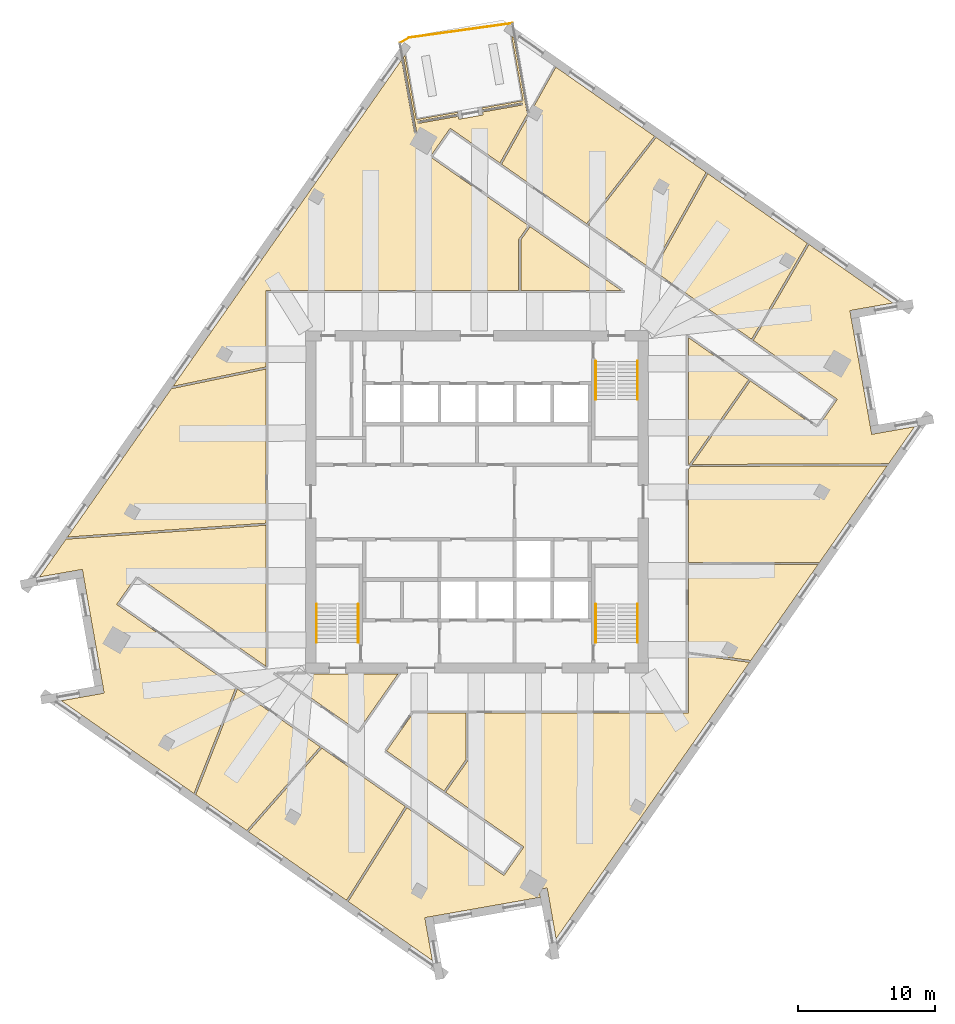
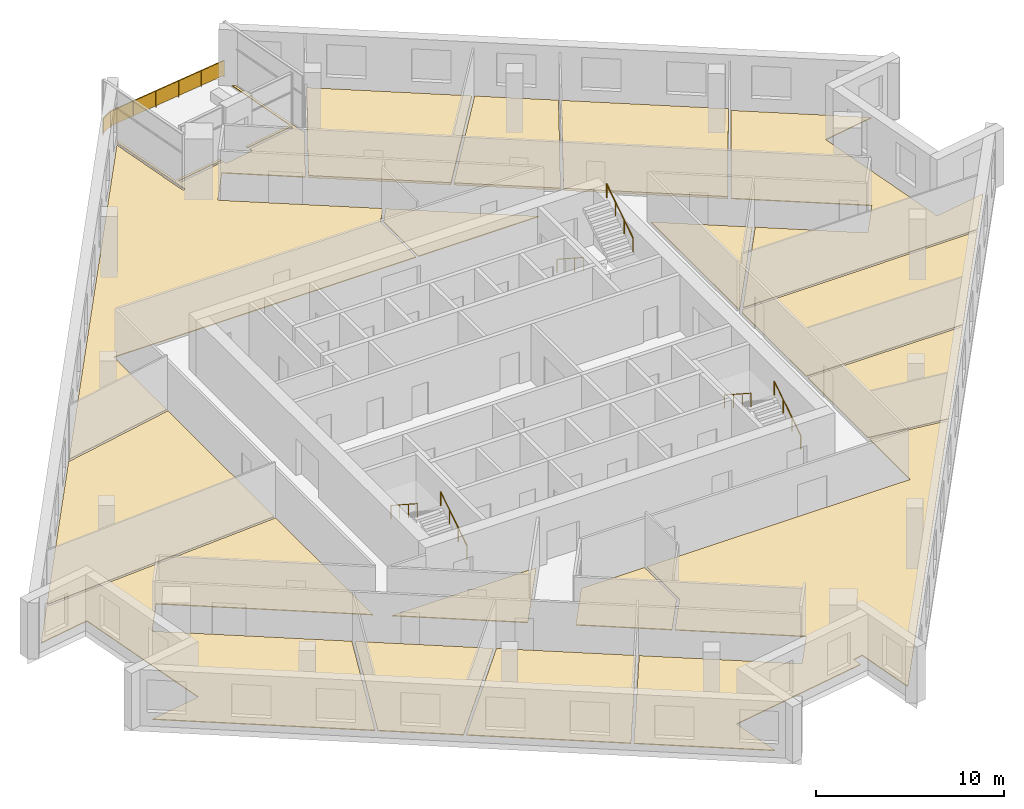
# One storey, part 12 of 13: 16 coverings, 7 railings.
"""IFC4 building model written with IfcOpenShell, lengths in metres."""

from ifc_helpers import new_model, si_unit, direction, frame, origin, origin_2d, place, context, subcontext, project, spatial, polyline, rectangle, circle, outline, extrude, material, layer, layer_set, type_object, element, save


model = new_model("IFC4")

# Units and contexts
model_context = context("Model", 3, precision=1e-05, world=origin(), true_north=direction((0.0, 1.0)))
body_context = subcontext(model_context, "Body", "Model", "MODEL_VIEW")
ifc_project = project(units=[si_unit("LENGTHUNIT", "METRE"), si_unit("AREAUNIT", "SQUARE_METRE"), si_unit("VOLUMEUNIT", "CUBIC_METRE"), si_unit("PLANEANGLEUNIT", "RADIAN"), si_unit("MASSUNIT", "GRAM", prefix="KILO")], contexts=[model_context])

# Site, building, storey
site_placement = place(None, origin())
site = spatial("IfcSite", under=ifc_project, at=site_placement, CompositionType="ELEMENT")
building_placement = place(site_placement, origin())
building = spatial("IfcBuilding", under=site, at=building_placement, Name="Dilmun Exchange Tower", CompositionType="ELEMENT")
storey_placement = place(building_placement, frame((0.0, 0.0, 242.89990234375)))
storey = spatial("IfcBuildingStorey", under=building, at=storey_placement, Name="L57", CompositionType="ELEMENT", Elevation=242.89990234375)

# Coverings
ifc_material_1 = material(Name="Carpet floor finish 50")
ifc_layer_1 = layer(ifc_material_1, 0.050048828125)
ifc_layer_set_1 = layer_set([ifc_layer_1], Name="Carpet floor finish 50")
covering_type_1 = type_object("IfcCoveringType", Name="Carpet floor finish 50", PredefinedType="FLOORING", material=ifc_layer_set_1)
covering_1_placement = place(storey_placement, origin())
element("IfcCovering", 1, at=covering_1_placement, inside=storey, type_object=covering_type_1, Name="Carpet floor finish 50 Research library 1", PredefinedType="FLOORING", context=body_context, shape_type="SweptSolid", body=[
    extrude(outline(polyline([(-15.47509765625, -1.712646484375), (-15.47509765625, -12.04638671875), (-24.933837890625, -5.42333984375), (-26.396484375, -7.51220703125), (-17.677734375, -13.6171875), (-20.736328125, -21.368408203125), (-30.45166015625, -14.56591796875), (-27.31787109375, -14.01318359375), (-27.317626953125, -14.01318359375), (-27.3173828125, -14.01318359375), (-27.317138671875, -14.01318359375), (-27.31689453125, -14.012939453125), (-27.31689453125, -14.012939453125), (-27.316650390625, -14.0126953125), (-27.316650390625, -14.0126953125), (-27.31640625, -14.012451171875), (-27.31640625, -14.01220703125), (-27.31640625, -14.01220703125), (-27.316162109375, -14.011962890625), (-27.316162109375, -14.01171875), (-27.316162109375, -14.01171875), (-27.316162109375, -14.011474609375), (-27.316162109375, -14.01123046875), (-27.316162109375, -14.010986328125), (-27.42041015625, -13.42041015625), (-27.42041015625, -13.42041015625), (-27.42041015625, -13.420166015625), (-28.809326171875, -5.5419921875), (-28.809326171875, -5.5419921875), (-28.809326171875, -5.5419921875), (-28.809326171875, -5.541748046875), (-28.91357421875, -4.95068359375), (-28.913818359375, -4.95068359375), (-28.913818359375, -4.950439453125), (-28.913818359375, -4.9501953125), (-28.913818359375, -4.9501953125), (-28.9140625, -4.949951171875), (-28.9140625, -4.94970703125), (-28.914306640625, -4.94970703125), (-28.914306640625, -4.949462890625), (-28.91455078125, -4.949462890625), (-28.914794921875, -4.94921875), (-28.9150390625, -4.94921875), (-28.915283203125, -4.94921875), (-28.915283203125, -4.94921875), (-28.91552734375, -4.94921875), (-28.915771484375, -4.94921875), (-28.916015625, -4.94921875), (-32.0498046875, -5.501708984375), (-30.11279296875, -2.735107421875), (-15.47509765625, -1.712646484375)])), origin(), (0.0, 0.0, 1.0), 0.050048828125),
])
covering_2_placement = place(storey_placement, origin())
element("IfcCovering", 2, at=covering_2_placement, inside=storey, type_object=covering_type_1, Name="Carpet floor finish 50 Regulator office 1", PredefinedType="FLOORING", context=body_context, shape_type="SweptSolid", body=[
    extrude(outline(polyline([(-15.47509765625, 9.7275390625), (-15.47509765625, -1.562255859375), (-30.001953125, -2.5771484375), (-22.3935546875, 8.288818359375), (-15.47509765625, 9.7275390625)])), origin(), (0.0, 0.0, 1.0), 0.050048828125),
])
covering_3_placement = place(storey_placement, origin())
element("IfcCovering", 3, at=covering_3_placement, inside=storey, type_object=covering_type_1, Name="Carpet floor finish 50 Regulator office 2", PredefinedType="FLOORING", context=body_context, shape_type="SweptSolid", body=[
    extrude(outline(polyline([(-17.55126953125, -13.70556640625), (-11.49267578125, -17.94775390625), (-16.87060546875, -24.075439453125), (-20.610107421875, -21.45703125), (-17.55126953125, -13.70556640625)])), origin(), (0.0, 0.0, 1.0), 0.050048828125),
])
covering_4_placement = place(storey_placement, origin())
element("IfcCovering", 4, at=covering_4_placement, inside=storey, type_object=covering_type_1, Name="Carpet floor finish 50 Regulator office 3", PredefinedType="FLOORING", context=body_context, shape_type="SweptSolid", body=[
    extrude(outline(polyline([(-11.369140625, -18.034423828125), (-5.26025390625, -22.311767578125), (-9.55908203125, -29.195068359375), (-16.746826171875, -24.162109375), (-11.369140625, -18.034423828125)])), origin(), (0.0, 0.0, 1.0), 0.050048828125),
])
covering_5_placement = place(storey_placement, origin())
element("IfcCovering", 5, at=covering_5_placement, inside=storey, type_object=covering_type_1, Name="Carpet floor finish 50 Garden lounge", PredefinedType="FLOORING", context=body_context, shape_type="SweptSolid", body=[
    extrude(outline(polyline([(-15.47509765625, 9.880859375), (-22.26806640625, 8.468017578125), (-5.523193359375, 32.382080078125), (-4.575439453125, 27.006103515625), (-4.5751953125, 27.006103515625), (-4.5751953125, 27.005859375), (-4.5751953125, 27.005615234375), (-4.5751953125, 27.00537109375), (-4.574951171875, 27.00537109375), (-4.57470703125, 27.005126953125), (-4.57470703125, 27.0048828125), (-4.574462890625, 27.0048828125), (-4.574462890625, 27.0048828125), (-4.57421875, 27.004638671875), (-4.573974609375, 27.004638671875), (-4.57373046875, 27.004638671875), (-4.573486328125, 27.00439453125), (-4.573486328125, 27.00439453125), (-4.5732421875, 27.00439453125), (-4.572998046875, 27.00439453125), (-4.41552734375, 27.0322265625), (-4.415283203125, 27.032470703125), (-4.4150390625, 27.032470703125), (-4.414794921875, 27.032470703125), (-4.414794921875, 27.03271484375), (-4.41455078125, 27.03271484375), (-4.414306640625, 27.03271484375), (-4.414306640625, 27.032958984375), (-4.414306640625, 27.033203125), (-4.4140625, 27.033203125), (-4.4140625, 27.033447265625), (-4.413818359375, 27.03369140625), (-4.413818359375, 27.033935546875), (-4.413818359375, 27.0341796875), (-4.413818359375, 27.0341796875), (-4.413818359375, 27.034423828125), (-4.413818359375, 27.03466796875), (-5.39013671875, 32.572021484375), (-5.2744140625, 32.737548828125), (-4.441650390625, 28.015380859375), (-1.426025390625, 28.547119140625), (-1.401123046875, 28.40625), (-4.343017578125, 27.8876953125), (-4.343017578125, 27.8876953125), (-4.34326171875, 27.887451171875), (-4.343505859375, 27.887451171875), (-4.34375, 27.887451171875), (-4.34375, 27.88720703125), (-4.343994140625, 27.88720703125), (-4.343994140625, 27.886962890625), (-4.34423828125, 27.88671875), (-4.34423828125, 27.88671875), (-4.344482421875, 27.886474609375), (-4.344482421875, 27.88623046875), (-4.344482421875, 27.885986328125), (-4.344482421875, 27.885986328125), (-4.344482421875, 27.8857421875), (-4.344482421875, 27.885498046875), (-4.344482421875, 27.88525390625), (-4.31689453125, 27.727783203125), (-4.316650390625, 27.7275390625), (-4.316650390625, 27.727294921875), (-4.316650390625, 27.727294921875), (-4.31640625, 27.72705078125), (-4.31640625, 27.726806640625), (-4.31640625, 27.726806640625), (-4.316162109375, 27.7265625), (-4.31591796875, 27.7265625), (-4.31591796875, 27.726318359375), (-4.315673828125, 27.726318359375), (-4.3154296875, 27.726318359375), (-4.315185546875, 27.726318359375), (-4.31494140625, 27.72607421875), (-4.31494140625, 27.72607421875), (-4.314697265625, 27.72607421875), (-4.314453125, 27.72607421875), (-1.372802734375, 28.244873046875), (-1.3349609375, 28.030029296875), (-1.334716796875, 28.02978515625), (-1.334716796875, 28.02978515625), (-1.334716796875, 28.029541015625), (-1.334716796875, 28.029296875), (-1.33447265625, 28.029296875), (-1.334228515625, 28.029052734375), (-1.334228515625, 28.02880859375), (-1.333984375, 28.02880859375), (-1.333984375, 28.02880859375), (-1.333740234375, 28.028564453125), (-1.33349609375, 28.028564453125), (-1.333251953125, 28.028564453125), (-1.3330078125, 28.028564453125), (-1.3330078125, 28.028564453125), (-1.332763671875, 28.028564453125), (-1.33251953125, 28.028564453125), (0.43994140625, 28.341064453125), (0.440185546875, 28.341064453125), (0.4404296875, 28.34130859375), (0.440673828125, 28.34130859375), (0.44091796875, 28.34130859375), (0.44091796875, 28.341552734375), (0.441162109375, 28.341552734375), (0.441162109375, 28.341796875), (0.44140625, 28.341796875), (0.44140625, 28.342041015625), (0.44140625, 28.34228515625), (0.441650390625, 28.34228515625), (0.441650390625, 28.342529296875), (0.441650390625, 28.3427734375), (0.441650390625, 28.343017578125), (0.441650390625, 28.34326171875), (0.441650390625, 28.343505859375), (0.40380859375, 28.55810546875), (3.345458984375, 29.07666015625), (3.345703125, 29.076904296875), (3.345947265625, 29.076904296875), (3.34619140625, 29.076904296875), (3.34619140625, 29.076904296875), (3.346435546875, 29.0771484375), (3.3466796875, 29.077392578125), (3.3466796875, 29.077392578125), (3.3466796875, 29.07763671875), (3.346923828125, 29.07763671875), (3.346923828125, 29.077880859375), (3.34716796875, 29.078125), (3.34716796875, 29.078369140625), (3.34716796875, 29.07861328125), (3.34716796875, 29.07861328125), (3.34716796875, 29.078857421875), (3.34716796875, 29.0791015625), (3.3193359375, 29.236572265625), (3.3193359375, 29.23681640625), (3.3193359375, 29.237060546875), (3.319091796875, 29.2373046875), (3.319091796875, 29.2373046875), (3.319091796875, 29.237548828125), (3.31884765625, 29.23779296875), (3.318603515625, 29.23779296875), (3.318603515625, 29.23779296875), (3.318359375, 29.238037109375), (3.318115234375, 29.238037109375), (3.318115234375, 29.23828125), (3.31787109375, 29.23828125), (3.317626953125, 29.23828125), (3.3173828125, 29.23828125), (3.3173828125, 29.23828125), (3.317138671875, 29.23828125), (0.375244140625, 28.719482421875), (0.3505859375, 28.8603515625), (3.3662109375, 29.39208984375), (2.533447265625, 34.114501953125), (2.69921875, 33.998291015625), (3.666015625, 28.514404296875), (3.666259765625, 28.51416015625), (3.666259765625, 28.513916015625), (3.666259765625, 28.513671875), (3.66650390625, 28.513427734375), (3.66650390625, 28.513427734375), (3.666748046875, 28.51318359375), (3.666748046875, 28.51318359375), (3.6669921875, 28.512939453125), (3.6669921875, 28.512939453125), (3.667236328125, 28.5126953125), (3.66748046875, 28.5126953125), (3.667724609375, 28.5126953125), (3.66796875, 28.5126953125), (3.668212890625, 28.5126953125), (3.668212890625, 28.5126953125), (3.66845703125, 28.5126953125), (3.747314453125, 28.526611328125), (1.675048828125, 24.822265625), (-1.968994140625, 27.373779296875), (-3.431640625, 25.284912109375), (3.765869140625, 20.245361328125), (3.0546875, 19.22998046875), (3.0546875, 15.47509765625), (-15.47509765625, 15.47509765625), (-15.47509765625, 9.880859375)])), origin(), (0.0, 0.0, 1.0), 0.050048828125),
])
covering_6_placement = place(storey_placement, origin())
element("IfcCovering", 6, at=covering_6_placement, inside=storey, type_object=covering_type_1, Name="Carpet floor finish 50 Supervision hall 1", PredefinedType="FLOORING", context=body_context, shape_type="SweptSolid", body=[
    extrude(outline(polyline([(-5.13720703125, -22.39794921875), (1.968994140625, -27.373779296875), (3.431640625, -25.284912109375), (-2.29736328125, -21.2734375), (-0.666259765625, -18.944091796875), (-0.666259765625, -15.47509765625), (15.47509765625, -15.47509765625), (15.47509765625, -11.1435546875), (19.963134765625, -11.760009765625), (5.791748046875, -31.998779296875), (5.1376953125, -28.289306640625), (5.1376953125, -28.2890625), (5.137451171875, -28.288818359375), (5.137451171875, -28.288818359375), (5.13720703125, -28.28857421875), (5.13720703125, -28.288330078125), (5.13720703125, -28.2880859375), (5.136962890625, -28.2880859375), (5.13671875, -28.2880859375), (5.13671875, -28.287841796875), (5.136474609375, -28.287841796875), (5.13623046875, -28.28759765625), (5.135986328125, -28.28759765625), (5.135986328125, -28.28759765625), (5.1357421875, -28.28759765625), (5.135498046875, -28.28759765625), (5.13525390625, -28.28759765625), (4.54443359375, -28.391845703125), (4.544189453125, -28.391845703125), (4.5439453125, -28.391845703125), (4.5439453125, -28.39208984375), (4.543701171875, -28.39208984375), (4.54345703125, -28.39208984375), (4.54345703125, -28.392333984375), (4.543212890625, -28.392578125), (4.543212890625, -28.392578125), (4.54296875, -28.392822265625), (4.54296875, -28.39306640625), (4.54296875, -28.393310546875), (4.542724609375, -28.393310546875), (4.542724609375, -28.3935546875), (4.542724609375, -28.393798828125), (4.542724609375, -28.39404296875), (4.542724609375, -28.39404296875), (4.643798828125, -28.9677734375), (-3.232421875, -30.356689453125), (-3.232666015625, -30.356689453125), (-3.23291015625, -30.356689453125), (-3.23291015625, -30.356689453125), (-3.823486328125, -30.460693359375), (-3.823486328125, -30.4609375), (-3.82373046875, -30.4609375), (-3.823974609375, -30.4609375), (-3.82421875, -30.461181640625), (-3.82421875, -30.461181640625), (-3.824462890625, -30.461181640625), (-3.82470703125, -30.46142578125), (-3.82470703125, -30.461669921875), (-3.82470703125, -30.4619140625), (-3.824951171875, -30.4619140625), (-3.824951171875, -30.462158203125), (-3.824951171875, -30.46240234375), (-3.824951171875, -30.462646484375), (-3.824951171875, -30.462646484375), (-3.824951171875, -30.462890625), (-3.824951171875, -30.463134765625), (-3.2724609375, -33.5966796875), (-9.43603515625, -29.28125), (-5.13720703125, -22.39794921875)])), origin(), (0.0, 0.0, 1.0), 0.050048828125),
])
covering_7_placement = place(storey_placement, origin())
element("IfcCovering", 7, at=covering_7_placement, inside=storey, type_object=covering_type_1, Name="Carpet floor finish 50 Regulator office 4", PredefinedType="FLOORING", context=body_context, shape_type="SweptSolid", body=[
    extrude(outline(polyline([(15.47509765625, -10.991943359375), (15.47509765625, -4.577392578125), (24.974609375, -4.602783203125), (20.059814453125, -11.621826171875), (15.47509765625, -10.991943359375)])), origin(), (0.0, 0.0, 1.0), 0.050048828125),
])
covering_8_placement = place(storey_placement, origin())
element("IfcCovering", 8, at=covering_8_placement, inside=storey, type_object=covering_type_1, Name="Carpet floor finish 50 Research library 2", PredefinedType="FLOORING", context=body_context, shape_type="SweptSolid", body=[
    extrude(outline(polyline([(15.47509765625, -4.427490234375), (15.47509765625, 2.365966796875), (15.631591796875, 2.589599609375), (30.04833984375, 2.6435546875), (25.079345703125, -4.452880859375), (15.47509765625, -4.427490234375)])), origin(), (0.0, 0.0, 1.0), 0.050048828125),
])
covering_9_placement = place(storey_placement, origin())
element("IfcCovering", 9, at=covering_9_placement, inside=storey, type_object=covering_type_1, Name="Carpet floor finish 50 Supervision hall 2", PredefinedType="FLOORING", context=body_context, shape_type="SweptSolid", body=[
    extrude(outline(polyline([(15.737060546875, 2.739990234375), (20.023193359375, 8.861572265625), (24.933837890625, 5.42333984375), (26.396484375, 7.51220703125), (20.236083984375, 11.82568359375), (24.322509765625, 18.857421875), (30.45166015625, 14.56591796875), (27.31787109375, 14.01318359375), (27.317626953125, 14.01318359375), (27.3173828125, 14.01318359375), (27.317138671875, 14.01318359375), (27.31689453125, 14.012939453125), (27.31689453125, 14.012939453125), (27.316650390625, 14.0126953125), (27.316650390625, 14.0126953125), (27.31640625, 14.012451171875), (27.31640625, 14.01220703125), (27.31640625, 14.01220703125), (27.316162109375, 14.011962890625), (27.316162109375, 14.01171875), (27.316162109375, 14.01171875), (27.316162109375, 14.011474609375), (27.316162109375, 14.01123046875), (27.316162109375, 14.010986328125), (27.42041015625, 13.42041015625), (27.42041015625, 13.42041015625), (27.42041015625, 13.420166015625), (28.809326171875, 5.5419921875), (28.809326171875, 5.5419921875), (28.809326171875, 5.5419921875), (28.809326171875, 5.541748046875), (28.91357421875, 4.95068359375), (28.913818359375, 4.95068359375), (28.913818359375, 4.950439453125), (28.913818359375, 4.9501953125), (28.913818359375, 4.9501953125), (28.9140625, 4.949951171875), (28.9140625, 4.94970703125), (28.914306640625, 4.94970703125), (28.914306640625, 4.949462890625), (28.91455078125, 4.949462890625), (28.914794921875, 4.94921875), (28.9150390625, 4.94921875), (28.915283203125, 4.94921875), (28.915283203125, 4.94921875), (28.91552734375, 4.94921875), (28.915771484375, 4.94921875), (28.916015625, 4.94921875), (32.0498046875, 5.501708984375), (30.15380859375, 2.7939453125), (15.737060546875, 2.739990234375)])), origin(), (0.0, 0.0, 1.0), 0.050048828125),
])
ifc_material_2 = material(Name="Raised access floor 150")
ifc_layer_2 = layer(ifc_material_2, 0.14990234375)
ifc_layer_set_2 = layer_set([ifc_layer_2], Name="Raised access floor 150")
covering_type_2 = type_object("IfcCoveringType", Name="Raised access floor 150", PredefinedType="FLOORING", material=ifc_layer_set_2)
covering_10_placement = place(storey_placement, origin())
element("IfcCovering", 10, at=covering_10_placement, inside=storey, type_object=covering_type_2, Name="Raised access floor 150 Analytics room 1", PredefinedType="FLOORING", context=body_context, shape_type="SweptSolid", body=[
    extrude(outline(polyline([(1.798583984375, 24.73583984375), (5.775390625, 31.844482421875), (13.001220703125, 26.784912109375), (8.025634765625, 20.37548828125), (1.798583984375, 24.73583984375)])), origin(), (0.0, 0.0, 1.0), 0.150146484375),
])
covering_11_placement = place(storey_placement, origin())
element("IfcCovering", 11, at=covering_11_placement, inside=storey, type_object=covering_type_2, Name="Raised access floor 150 Analytics room 2", PredefinedType="FLOORING", context=body_context, shape_type="SweptSolid", body=[
    extrude(outline(polyline([(12.8115234375, 17.0244140625), (8.148681640625, 20.289306640625), (13.124267578125, 26.698486328125), (16.785400390625, 24.13525390625), (12.8115234375, 17.0244140625)])), origin(), (0.0, 0.0, 1.0), 0.150146484375),
])
covering_12_placement = place(storey_placement, origin())
element("IfcCovering", 12, at=covering_12_placement, inside=storey, type_object=covering_type_2, Name="Raised access floor 150 Analytics room 3", PredefinedType="FLOORING", context=body_context, shape_type="SweptSolid", body=[
    extrude(outline(polyline([(20.11279296875, 11.912109375), (12.93505859375, 16.93798828125), (16.90869140625, 24.048583984375), (24.19921875, 18.94384765625), (20.11279296875, 11.912109375)])), origin(), (0.0, 0.0, 1.0), 0.150146484375),
])

# Railings
ifc_material_3 = material(Name="Stainless steel", Category="steel")
railing_type_1 = type_object("IfcRailingType", Name="Stair handrail 900", PredefinedType="HANDRAIL", material=ifc_material_3)
railing_1_placement = place(storey_placement, frame((8.699951171875, 10.300048828125, 0.181884765625)))
element("IfcRailing", 13, at=railing_1_placement, inside=storey, type_object=railing_type_1, Name="L57 ST1 stair handrail 1", PredefinedType="HANDRAIL", context=body_context, shape_type="SweptSolid", body=[
    extrude(circle(Radius=0.02392578125, at=origin_2d()), frame((0.0, 0.0, 0.8759765625), z_axis=(0.0, -0.838705829183, 0.544584733623), x_axis=(1.0, 0.0, 0.0)), (0.0, 0.0, 1.0), 3.338623046875),
    extrude(circle(Radius=0.02099609375, at=origin_2d()), origin(), (0.0, 0.0, 1.0), 0.851806640625),
    extrude(circle(Radius=0.02099609375, at=origin_2d()), frame((0.0, -0.933349609375, 0.60595703125)), (0.0, 0.0, 1.0), 0.851806640625),
    extrude(circle(Radius=0.02099609375, at=origin_2d()), frame((0.0, -1.86669921875, 1.212158203125)), (0.0, 0.0, 1.0), 0.851806640625),
    extrude(circle(Radius=0.02099609375, at=origin_2d()), frame((0.0, -2.800048828125, 1.818115234375)), (0.0, 0.0, 1.0), 0.851806640625),
])
for number, where, name in (
    (14, (11.75, 7.5, 2.181884765625), "L57 ST1 stair handrail 2"),
    (15, (-8.699951171875, -10.300048828125, 0.181884765625), "L57 ST2 stair handrail 1"),
):
    element("IfcRailing", number, at=place(storey_placement, frame(where)), inside=storey, type_object=railing_type_1, Name=name, PredefinedType="HANDRAIL", context=body_context, shape_type="SweptSolid", body=[
        extrude(circle(Radius=0.02392578125, at=origin_2d()), frame((0.0, 0.0, 0.8759765625), z_axis=(0.0, 0.838705829183, 0.544584733623), x_axis=(-1.0, 0.0, 0.0)), (0.0, 0.0, 1.0), 3.338623046875),
        extrude(circle(Radius=0.02099609375, at=origin_2d()), origin(), (0.0, 0.0, 1.0), 0.851806640625),
        extrude(circle(Radius=0.02099609375, at=origin_2d()), frame((0.0, 0.933349609375, 0.60595703125)), (0.0, 0.0, 1.0), 0.851806640625),
        extrude(circle(Radius=0.02099609375, at=origin_2d()), frame((0.0, 1.86669921875, 1.212158203125)), (0.0, 0.0, 1.0), 0.851806640625),
        extrude(circle(Radius=0.02099609375, at=origin_2d()), frame((0.0, 2.800048828125, 1.818115234375)), (0.0, 0.0, 1.0), 0.851806640625),
    ])
railing_2_placement = place(storey_placement, frame((-11.75, -7.5, 2.181884765625)))
element("IfcRailing", 16, at=railing_2_placement, inside=storey, type_object=railing_type_1, Name="L57 ST2 stair handrail 2", PredefinedType="HANDRAIL", context=body_context, shape_type="SweptSolid", body=[
    extrude(circle(Radius=0.02392578125, at=origin_2d()), frame((0.0, 0.0, 0.8759765625), z_axis=(0.0, -0.838705829183, 0.544584733623), x_axis=(1.0, 0.0, 0.0)), (0.0, 0.0, 1.0), 3.338623046875),
    extrude(circle(Radius=0.02099609375, at=origin_2d()), origin(), (0.0, 0.0, 1.0), 0.851806640625),
    extrude(circle(Radius=0.02099609375, at=origin_2d()), frame((0.0, -0.933349609375, 0.60595703125)), (0.0, 0.0, 1.0), 0.851806640625),
    extrude(circle(Radius=0.02099609375, at=origin_2d()), frame((0.0, -1.86669921875, 1.212158203125)), (0.0, 0.0, 1.0), 0.851806640625),
    extrude(circle(Radius=0.02099609375, at=origin_2d()), frame((0.0, -2.800048828125, 1.818115234375)), (0.0, 0.0, 1.0), 0.851806640625),
])
railing_3_placement = place(storey_placement, frame((11.75, -10.300048828125, 0.181884765625)))
element("IfcRailing", 17, at=railing_3_placement, inside=storey, type_object=railing_type_1, Name="L57 ST3 stair handrail 1", PredefinedType="HANDRAIL", context=body_context, shape_type="SweptSolid", body=[
    extrude(circle(Radius=0.02392578125, at=origin_2d()), frame((0.0, 0.0, 0.8759765625), z_axis=(0.0, 0.838705829183, 0.544584733623), x_axis=(-1.0, 0.0, 0.0)), (0.0, 0.0, 1.0), 3.338623046875),
    extrude(circle(Radius=0.02099609375, at=origin_2d()), origin(), (0.0, 0.0, 1.0), 0.851806640625),
    extrude(circle(Radius=0.02099609375, at=origin_2d()), frame((0.0, 0.933349609375, 0.60595703125)), (0.0, 0.0, 1.0), 0.851806640625),
    extrude(circle(Radius=0.02099609375, at=origin_2d()), frame((0.0, 1.86669921875, 1.212158203125)), (0.0, 0.0, 1.0), 0.851806640625),
    extrude(circle(Radius=0.02099609375, at=origin_2d()), frame((0.0, 2.800048828125, 1.818115234375)), (0.0, 0.0, 1.0), 0.851806640625),
])
railing_4_placement = place(storey_placement, frame((8.699951171875, -7.5, 2.181884765625)))
element("IfcRailing", 18, at=railing_4_placement, inside=storey, type_object=railing_type_1, Name="L57 ST3 stair handrail 2", PredefinedType="HANDRAIL", context=body_context, shape_type="SweptSolid", body=[
    extrude(circle(Radius=0.02392578125, at=origin_2d()), frame((0.0, 0.0, 0.8759765625), z_axis=(0.0, -0.838705829183, 0.544584733623), x_axis=(1.0, 0.0, 0.0)), (0.0, 0.0, 1.0), 3.338623046875),
    extrude(circle(Radius=0.02099609375, at=origin_2d()), origin(), (0.0, 0.0, 1.0), 0.851806640625),
    extrude(circle(Radius=0.02099609375, at=origin_2d()), frame((0.0, -0.933349609375, 0.60595703125)), (0.0, 0.0, 1.0), 0.851806640625),
    extrude(circle(Radius=0.02099609375, at=origin_2d()), frame((0.0, -1.86669921875, 1.212158203125)), (0.0, 0.0, 1.0), 0.851806640625),
    extrude(circle(Radius=0.02099609375, at=origin_2d()), frame((0.0, -2.800048828125, 1.818115234375)), (0.0, 0.0, 1.0), 0.851806640625),
])

# Covering
ifc_material_4 = material(Name="Stone floor finish 50", Category="masonry")
ifc_layer_3 = layer(ifc_material_4, 0.050048828125)
ifc_layer_set_3 = layer_set([ifc_layer_3], Name="Stone floor finish 50")
covering_type_3 = type_object("IfcCoveringType", Name="Stone floor finish 50", PredefinedType="FLOORING", material=ifc_layer_set_3)
covering_13_placement = place(storey_placement, origin())
element("IfcCovering", 19, at=covering_13_placement, inside=storey, type_object=covering_type_3, Name="Stone floor finish 50 Reception", PredefinedType="FLOORING", context=body_context, shape_type="SweptSolid", body=[
    extrude(outline(polyline([(-0.816162109375, -18.896728515625), (-2.420166015625, -21.1875), (-6.62353515625, -18.244384765625), (-4.6845703125, -15.47509765625), (-0.816162109375, -15.47509765625), (-0.816162109375, -18.896728515625)])), origin(), (0.0, 0.0, 1.0), 0.050048828125),
])

# Railing
railing_type_2 = type_object("IfcRailingType", Name="Terrace guard 1100 stainless steel", PredefinedType="GUARDRAIL", material=ifc_material_3)
railing_5_placement = place(storey_placement, frame((-5.65673828125, 33.61083984375, 0.0)))
element("IfcRailing", 20, at=railing_5_placement, inside=storey, type_object=railing_type_2, Name="Terrace guard 1", PredefinedType="GUARDRAIL", context=body_context, shape_type="SweptSolid", body=[
    extrude(circle(Radius=0.02392578125, at=origin_2d()), frame((0.0, 0.0, 1.076171875), z_axis=(0.863187603129, 0.504883315038, 0.0), x_axis=(-0.504883315038, 0.863187603129, 0.0)), (0.0, 0.0, 1.0), 0.79443359375),
    extrude(rectangle(XDim=0.011962890625, YDim=0.951904296875, at=origin_2d()), frame((0.0, 0.0, 0.576171875), z_axis=(0.863187603129, 0.504883315038, 0.0), x_axis=(-0.504883315038, 0.863187603129, 0.0)), (0.0, 0.0, 1.0), 0.79443359375),
    extrude(circle(Radius=0.02392578125, at=origin_2d()), frame((0.685791015625, 0.401123046875, 1.076171875), z_axis=(0.990438846295, 0.137952498164, 0.0), x_axis=(-0.137952498164, 0.990438846295, 0.0)), (0.0, 0.0, 1.0), 7.63818359375),
    extrude(rectangle(XDim=0.011962890625, YDim=0.951904296875, at=origin_2d()), frame((0.685791015625, 0.401123046875, 0.576171875), z_axis=(0.990438846295, 0.137952498164, 0.0), x_axis=(-0.137952498164, 0.990438846295, 0.0)), (0.0, 0.0, 1.0), 7.63818359375),
    extrude(circle(Radius=0.02099609375, at=origin_2d()), origin(), (0.0, 0.0, 1.0), 1.052001953125),
    extrude(circle(Radius=0.02099609375, at=origin_2d()), frame((0.685791015625, 0.401123046875, 0.0)), (0.0, 0.0, 1.0), 1.052001953125),
    extrude(circle(Radius=0.02099609375, at=origin_2d()), frame((2.19873046875, 0.61181640625, 0.0)), (0.0, 0.0, 1.0), 1.052001953125),
    extrude(circle(Radius=0.02099609375, at=origin_2d()), frame((3.7119140625, 0.822509765625, 0.0)), (0.0, 0.0, 1.0), 1.052001953125),
    extrude(circle(Radius=0.02099609375, at=origin_2d()), frame((5.224853515625, 1.033447265625, 0.0)), (0.0, 0.0, 1.0), 1.052001953125),
    extrude(circle(Radius=0.02099609375, at=origin_2d()), frame((6.738037109375, 1.244140625, 0.0)), (0.0, 0.0, 1.0), 1.052001953125),
    extrude(circle(Radius=0.02099609375, at=origin_2d()), frame((8.2509765625, 1.454833984375, 0.0)), (0.0, 0.0, 1.0), 1.052001953125),
])

# Coverings
ifc_material_5 = material(Name="Tile floor finish 50")
ifc_layer_4 = layer(ifc_material_5, 0.050048828125)
ifc_layer_set_4 = layer_set([ifc_layer_4], Name="Tile floor finish 50")
covering_type_4 = type_object("IfcCoveringType", Name="Tile floor finish 50", PredefinedType="FLOORING", material=ifc_layer_set_4)
covering_14_placement = place(storey_placement, origin())
element("IfcCovering", 21, at=covering_14_placement, inside=storey, type_object=covering_type_4, Name="Tile floor finish 50 Pantry 1", PredefinedType="FLOORING", context=body_context, shape_type="SweptSolid", body=[
    extrude(outline(polyline([(-5.802001953125, -12.625), (-8.71240234375, -16.781494140625), (-14.648681640625, -12.625), (-5.802001953125, -12.625)])), origin(), (0.0, 0.0, 1.0), 0.050048828125),
])
covering_15_placement = place(storey_placement, origin())
element("IfcCovering", 22, at=covering_15_placement, inside=storey, type_object=covering_type_4, Name="Tile floor finish 50 Pantry 2", PredefinedType="FLOORING", context=body_context, shape_type="SweptSolid", body=[
    extrude(outline(polyline([(3.204833984375, 15.47509765625), (3.204833984375, 19.1826171875), (3.888671875, 20.1591796875), (10.57861328125, 15.47509765625), (3.204833984375, 15.47509765625)])), origin(), (0.0, 0.0, 1.0), 0.050048828125),
])
covering_16_placement = place(storey_placement, origin())
element("IfcCovering", 23, at=covering_16_placement, inside=storey, type_object=covering_type_4, Name="Tile floor finish 50 Pantry 3", PredefinedType="FLOORING", context=body_context, shape_type="SweptSolid", body=[
    extrude(outline(polyline([(19.900390625, 8.94775390625), (15.553466796875, 2.739501953125), (15.47509765625, 2.739013671875), (15.47509765625, 12.04638671875), (19.900390625, 8.94775390625)])), origin(), (0.0, 0.0, 1.0), 0.050048828125),
])

save(model, "model.ifc")
